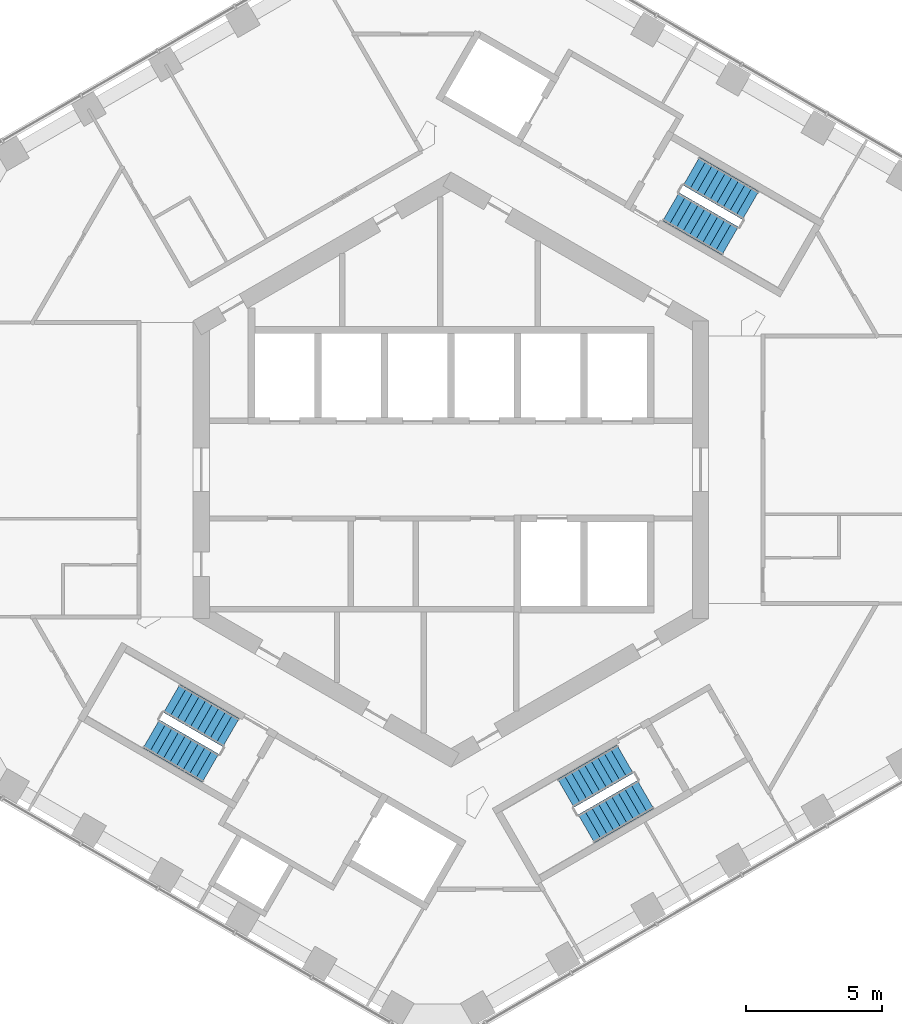
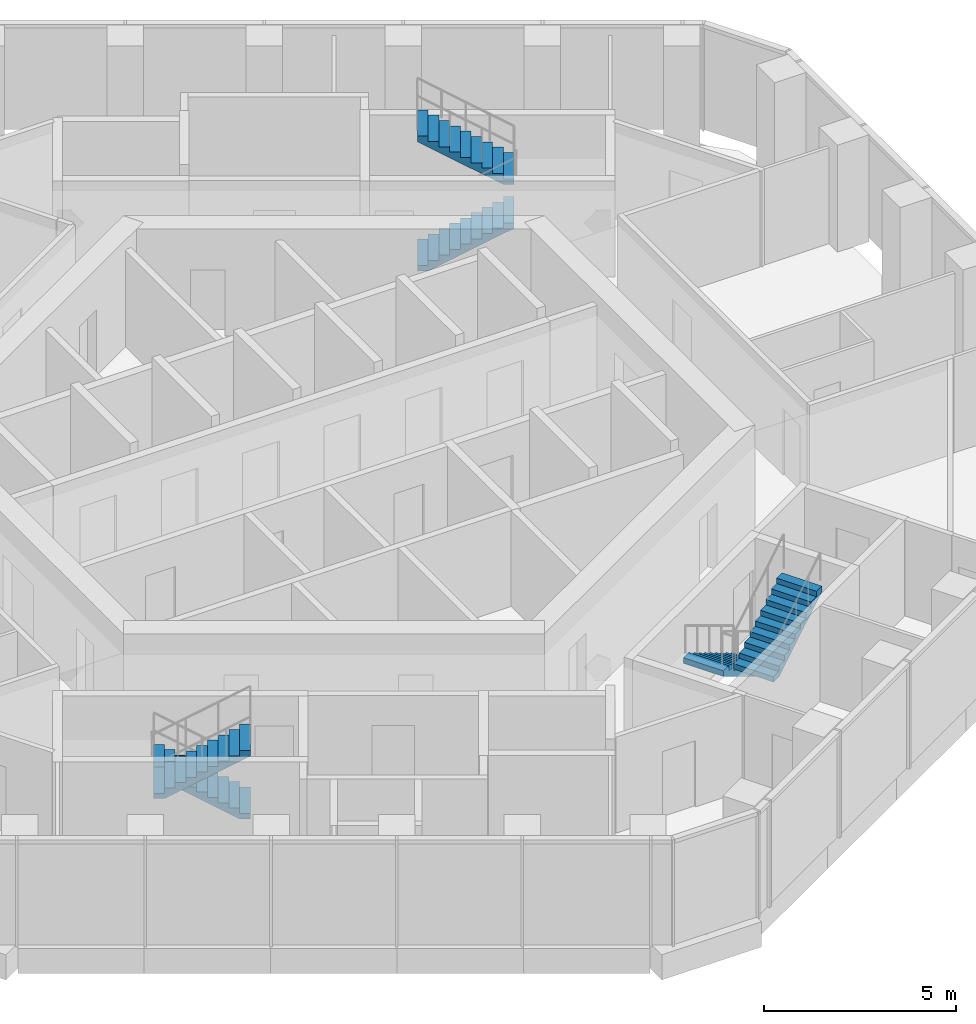
# One storey, part 17 of 18: 6 stair flights, 3 elements without a shape of their own.
"""IFC4 building model written with IfcOpenShell, lengths in metres."""

from ifc_helpers import new_model, si_unit, direction, frame, origin, place, context, subcontext, project, spatial, triangles, material, type_object, element, aggregate, save


model = new_model("IFC4")

# Units and contexts
model_context = context("Model", 3, precision=1e-05, world=origin(), true_north=direction((0.0, 1.0)))
body_context = subcontext(model_context, "Body", "Model", "MODEL_VIEW")
ifc_project = project(units=[si_unit("LENGTHUNIT", "METRE"), si_unit("AREAUNIT", "SQUARE_METRE"), si_unit("VOLUMEUNIT", "CUBIC_METRE"), si_unit("PLANEANGLEUNIT", "RADIAN"), si_unit("MASSUNIT", "GRAM", prefix="KILO")], contexts=[model_context])

# Site, building, storey
site_placement = place(None, origin())
site = spatial("IfcSite", under=ifc_project, at=site_placement, CompositionType="ELEMENT")
building_placement = place(site_placement, origin())
building = spatial("IfcBuilding", under=site, at=building_placement, Name="Ayvan Gate Tower", CompositionType="ELEMENT")
storey_placement = place(building_placement, frame((0.0, 0.0, 179.89990234375)))
storey = spatial("IfcBuildingStorey", under=building, at=storey_placement, Name="L48", CompositionType="ELEMENT", Elevation=179.89990234375)

# Stair, stair flights
ifc_material = material(Name="Concrete C40/50", Category="concrete")
stair_type = type_object("IfcStairType", Name="ST-EXIT", PredefinedType="HALF_TURN_STAIR", material=ifc_material)
stair_1_placement = place(storey_placement, origin())
stair_1 = element("IfcStair", 1, at=stair_1_placement, inside=storey, type_object=stair_type, Name="L48 Exit Stair S1", PredefinedType="HALF_TURN_STAIR")
stair_flight_type = type_object("IfcStairFlightType", Name="SFL-EXIT", PredefinedType="STRAIGHT", material=ifc_material)
stair_flight_1_placement = place(storey_placement, frame((8.106201171875, 9.690185546875, 0.0), z_axis=(0.0, 0.0, 1.0), x_axis=(0.866025403784, -0.5, 0.0)))
stair_flight_1 = element("IfcStairFlight", 2, at=stair_flight_1_placement, type_object=stair_flight_type, Name="STS1 flight 1", NumberOfRisers=10, NumberOfTreads=9, PredefinedType="STRAIGHT", RiserHeight=0.17, TreadLength=0.28, context=body_context, shape_type="Tessellation", body=[
    triangles([(0.288841, -0.599976, 0.0), (2.5205, -0.599976, 1.354936), (2.5205, -0.599976, 1.53), (2.24, -0.599976, 1.53), (2.24, -0.599976, 1.36), (1.96, -0.599976, 1.36), (1.96, -0.599976, 1.19), (1.68, -0.599976, 1.19), (1.68, -0.599976, 1.02), (1.4, -0.599976, 1.02), (1.4, -0.599976, 0.85), (1.12, -0.599976, 0.85), (1.12, -0.599976, 0.68), (0.84, -0.599976, 0.68), (0.84, -0.599976, 0.51), (0.56, -0.599976, 0.51), (0.56, -0.599976, 0.34), (0.28, -0.599976, 0.34), (0.28, -0.599976, 0.17), (-0.0005, -0.599976, 0.17), (-0.0005, -0.599976, 0.0), (0.288841, 0.0, 0.0), (2.5205, 0.0, 1.354936), (2.5205, 0.0, 1.53), (2.24, 0.0, 1.53), (2.24, 0.0, 1.36), (1.96, 0.0, 1.36), (1.96, 0.0, 1.19), (1.68, 0.0, 1.19), (1.68, 0.0, 1.02), (1.4, 0.0, 1.02), (1.4, 0.0, 0.85), (1.12, 0.0, 0.85), (1.12, 0.0, 0.68), (0.84, 0.0, 0.68), (0.84, 0.0, 0.51), (0.56, 0.0, 0.51), (0.56, 0.0, 0.34), (0.28, 0.0, 0.34), (0.28, 0.0, 0.17), (-0.0005, 0.0, 0.17), (-0.0005, 0.0, 0.0), (0.288841, 0.599976, 0.0), (2.5205, 0.599976, 1.354936), (2.5205, 0.599976, 1.53), (2.24, 0.599976, 1.53), (2.24, 0.599976, 1.36), (1.96, 0.599976, 1.36), (1.96, 0.599976, 1.19), (1.68, 0.599976, 1.19), (1.68, 0.599976, 1.02), (1.4, 0.599976, 1.02), (1.4, 0.599976, 0.85), (1.12, 0.599976, 0.85), (1.12, 0.599976, 0.68), (0.84, 0.599976, 0.68), (0.84, 0.599976, 0.51), (0.56, 0.599976, 0.51), (0.56, 0.599976, 0.34), (0.28, 0.599976, 0.34), (0.28, 0.599976, 0.17), (-0.0005, 0.599976, 0.17), (-0.0005, 0.599976, 0.0)], [[21, 1, 2], [63, 44, 43], [2, 3, 4], [44, 46, 45], [2, 4, 5], [44, 47, 46], [2, 5, 6], [44, 48, 47], [2, 6, 7], [44, 49, 48], [7, 8, 9], [49, 51, 50], [2, 7, 9], [44, 51, 49], [9, 10, 11], [51, 53, 52], [2, 9, 11], [44, 53, 51], [11, 12, 13], [53, 55, 54], [2, 11, 13], [44, 55, 53], [13, 14, 15], [55, 57, 56], [2, 13, 15], [44, 57, 55], [15, 16, 17], [57, 59, 58], [2, 15, 17], [44, 59, 57], [17, 18, 19], [59, 61, 60], [2, 17, 19], [44, 61, 59], [21, 2, 19], [63, 61, 44], [19, 20, 21], [61, 63, 62], [1, 22, 23], [1, 23, 2], [43, 23, 22], [43, 44, 23], [2, 23, 24], [2, 24, 3], [44, 24, 23], [44, 45, 24], [3, 24, 25], [3, 25, 4], [45, 25, 24], [45, 46, 25], [4, 25, 26], [4, 26, 5], [46, 26, 25], [46, 47, 26], [5, 26, 27], [5, 27, 6], [47, 27, 26], [47, 48, 27], [6, 27, 28], [6, 28, 7], [48, 28, 27], [48, 49, 28], [7, 28, 29], [7, 29, 8], [49, 29, 28], [49, 50, 29], [8, 29, 30], [8, 30, 9], [50, 30, 29], [50, 51, 30], [9, 30, 31], [9, 31, 10], [51, 31, 30], [51, 52, 31], [10, 31, 32], [10, 32, 11], [52, 32, 31], [52, 53, 32], [11, 32, 33], [11, 33, 12], [53, 33, 32], [53, 54, 33], [12, 33, 34], [12, 34, 13], [54, 34, 33], [54, 55, 34], [13, 34, 35], [13, 35, 14], [55, 35, 34], [55, 56, 35], [14, 35, 36], [14, 36, 15], [56, 36, 35], [56, 57, 36], [15, 36, 37], [15, 37, 16], [57, 37, 36], [57, 58, 37], [16, 37, 38], [16, 38, 17], [58, 38, 37], [58, 59, 38], [17, 38, 39], [17, 39, 18], [59, 39, 38], [59, 60, 39], [18, 39, 40], [18, 40, 19], [60, 40, 39], [60, 61, 40], [19, 40, 41], [19, 41, 20], [61, 41, 40], [61, 62, 41], [20, 41, 42], [20, 42, 21], [62, 42, 41], [62, 63, 42], [21, 42, 22], [21, 22, 1], [63, 22, 42], [63, 43, 22]], closed=True),
])
stair_flight_2_placement = place(storey_placement, frame((11.04345703125, 9.73779296875, 1.7001953125), z_axis=(0.0, 0.0, 1.0), x_axis=(-0.866025403784, 0.5, 0.0)))
stair_flight_2 = element("IfcStairFlight", 3, at=stair_flight_2_placement, type_object=stair_flight_type, Name="STS1 flight 2", NumberOfRisers=10, NumberOfTreads=9, PredefinedType="STRAIGHT", RiserHeight=0.17, TreadLength=0.28, context=body_context, shape_type="Tessellation", body=[
    triangles([(0.288841, -0.599976, 0.0), (2.5205, -0.599976, 1.354936), (2.5205, -0.599976, 1.53), (2.24, -0.599976, 1.53), (2.24, -0.599976, 1.36), (1.96, -0.599976, 1.36), (1.96, -0.599976, 1.19), (1.68, -0.599976, 1.19), (1.68, -0.599976, 1.02), (1.4, -0.599976, 1.02), (1.4, -0.599976, 0.85), (1.12, -0.599976, 0.85), (1.12, -0.599976, 0.68), (0.84, -0.599976, 0.68), (0.84, -0.599976, 0.51), (0.56, -0.599976, 0.51), (0.56, -0.599976, 0.34), (0.28, -0.599976, 0.34), (0.28, -0.599976, 0.17), (-0.0005, -0.599976, 0.17), (-0.0005, -0.599976, 0.0), (0.288841, 0.0, 0.0), (2.5205, 0.0, 1.354936), (2.5205, 0.0, 1.53), (2.24, 0.0, 1.53), (2.24, 0.0, 1.36), (1.96, 0.0, 1.36), (1.96, 0.0, 1.19), (1.68, 0.0, 1.19), (1.68, 0.0, 1.02), (1.4, 0.0, 1.02), (1.4, 0.0, 0.85), (1.12, 0.0, 0.85), (1.12, 0.0, 0.68), (0.84, 0.0, 0.68), (0.84, 0.0, 0.51), (0.56, 0.0, 0.51), (0.56, 0.0, 0.34), (0.28, 0.0, 0.34), (0.28, 0.0, 0.17), (-0.0005, 0.0, 0.17), (-0.0005, 0.0, 0.0), (0.288841, 0.599976, 0.0), (2.5205, 0.599976, 1.354936), (2.5205, 0.599976, 1.53), (2.24, 0.599976, 1.53), (2.24, 0.599976, 1.36), (1.96, 0.599976, 1.36), (1.96, 0.599976, 1.19), (1.68, 0.599976, 1.19), (1.68, 0.599976, 1.02), (1.4, 0.599976, 1.02), (1.4, 0.599976, 0.85), (1.12, 0.599976, 0.85), (1.12, 0.599976, 0.68), (0.84, 0.599976, 0.68), (0.84, 0.599976, 0.51), (0.56, 0.599976, 0.51), (0.56, 0.599976, 0.34), (0.28, 0.599976, 0.34), (0.28, 0.599976, 0.17), (-0.0005, 0.599976, 0.17), (-0.0005, 0.599976, 0.0)], [[21, 1, 2], [63, 44, 43], [2, 3, 4], [44, 46, 45], [2, 4, 5], [44, 47, 46], [2, 5, 6], [44, 48, 47], [2, 6, 7], [44, 49, 48], [7, 8, 9], [49, 51, 50], [2, 7, 9], [44, 51, 49], [9, 10, 11], [51, 53, 52], [2, 9, 11], [44, 53, 51], [11, 12, 13], [53, 55, 54], [2, 11, 13], [44, 55, 53], [13, 14, 15], [55, 57, 56], [2, 13, 15], [44, 57, 55], [15, 16, 17], [57, 59, 58], [2, 15, 17], [44, 59, 57], [17, 18, 19], [59, 61, 60], [2, 17, 19], [44, 61, 59], [21, 2, 19], [63, 61, 44], [19, 20, 21], [61, 63, 62], [1, 22, 23], [1, 23, 2], [43, 23, 22], [43, 44, 23], [2, 23, 24], [2, 24, 3], [44, 24, 23], [44, 45, 24], [3, 24, 25], [3, 25, 4], [45, 25, 24], [45, 46, 25], [4, 25, 26], [4, 26, 5], [46, 26, 25], [46, 47, 26], [5, 26, 27], [5, 27, 6], [47, 27, 26], [47, 48, 27], [6, 27, 28], [6, 28, 7], [48, 28, 27], [48, 49, 28], [7, 28, 29], [7, 29, 8], [49, 29, 28], [49, 50, 29], [8, 29, 30], [8, 30, 9], [50, 30, 29], [50, 51, 30], [9, 30, 31], [9, 31, 10], [51, 31, 30], [51, 52, 31], [10, 31, 32], [10, 32, 11], [52, 32, 31], [52, 53, 32], [11, 32, 33], [11, 33, 12], [53, 33, 32], [53, 54, 33], [12, 33, 34], [12, 34, 13], [54, 34, 33], [54, 55, 34], [13, 34, 35], [13, 35, 14], [55, 35, 34], [55, 56, 35], [14, 35, 36], [14, 36, 15], [56, 36, 35], [56, 57, 36], [15, 36, 37], [15, 37, 16], [57, 37, 36], [57, 58, 37], [16, 37, 38], [16, 38, 17], [58, 38, 37], [58, 59, 38], [17, 38, 39], [17, 39, 18], [59, 39, 38], [59, 60, 39], [18, 39, 40], [18, 40, 19], [60, 40, 39], [60, 61, 40], [19, 40, 41], [19, 41, 20], [61, 41, 40], [61, 62, 41], [20, 41, 42], [20, 42, 21], [62, 42, 41], [62, 63, 42], [21, 42, 22], [21, 22, 1], [63, 22, 42], [63, 43, 22]], closed=True),
])
aggregate(stair_1, [stair_flight_1, stair_flight_2])

stair_2_placement = place(storey_placement, origin())
stair_2 = element("IfcStair", 4, at=stair_2_placement, inside=storey, type_object=stair_type, Name="L48 Exit Stair S2", PredefinedType="HALF_TURN_STAIR")
stair_flight_3_placement = place(storey_placement, frame((-8.106201171875, -9.690185546875, 0.0), z_axis=(0.0, 0.0, 1.0), x_axis=(-0.866025403784, 0.5, 0.0)))
stair_flight_3 = element("IfcStairFlight", 5, at=stair_flight_3_placement, type_object=stair_flight_type, Name="STS2 flight 1", NumberOfRisers=10, NumberOfTreads=9, PredefinedType="STRAIGHT", RiserHeight=0.17, TreadLength=0.28, context=body_context, shape_type="Tessellation", body=[
    triangles([(0.288841, -0.599976, 0.0), (2.5205, -0.599976, 1.354936), (2.5205, -0.599976, 1.53), (2.24, -0.599976, 1.53), (2.24, -0.599976, 1.36), (1.96, -0.599976, 1.36), (1.96, -0.599976, 1.19), (1.68, -0.599976, 1.19), (1.68, -0.599976, 1.02), (1.4, -0.599976, 1.02), (1.4, -0.599976, 0.85), (1.12, -0.599976, 0.85), (1.12, -0.599976, 0.68), (0.84, -0.599976, 0.68), (0.84, -0.599976, 0.51), (0.56, -0.599976, 0.51), (0.56, -0.599976, 0.34), (0.28, -0.599976, 0.34), (0.28, -0.599976, 0.17), (-0.0005, -0.599976, 0.17), (-0.0005, -0.599976, 0.0), (0.288841, 0.0, 0.0), (2.5205, 0.0, 1.354936), (2.5205, 0.0, 1.53), (2.24, 0.0, 1.53), (2.24, 0.0, 1.36), (1.96, 0.0, 1.36), (1.96, 0.0, 1.19), (1.68, 0.0, 1.19), (1.68, 0.0, 1.02), (1.4, 0.0, 1.02), (1.4, 0.0, 0.85), (1.12, 0.0, 0.85), (1.12, 0.0, 0.68), (0.84, 0.0, 0.68), (0.84, 0.0, 0.51), (0.56, 0.0, 0.51), (0.56, 0.0, 0.34), (0.28, 0.0, 0.34), (0.28, 0.0, 0.17), (-0.0005, 0.0, 0.17), (-0.0005, 0.0, 0.0), (0.288841, 0.599976, 0.0), (2.5205, 0.599976, 1.354936), (2.5205, 0.599976, 1.53), (2.24, 0.599976, 1.53), (2.24, 0.599976, 1.36), (1.96, 0.599976, 1.36), (1.96, 0.599976, 1.19), (1.68, 0.599976, 1.19), (1.68, 0.599976, 1.02), (1.4, 0.599976, 1.02), (1.4, 0.599976, 0.85), (1.12, 0.599976, 0.85), (1.12, 0.599976, 0.68), (0.84, 0.599976, 0.68), (0.84, 0.599976, 0.51), (0.56, 0.599976, 0.51), (0.56, 0.599976, 0.34), (0.28, 0.599976, 0.34), (0.28, 0.599976, 0.17), (-0.0005, 0.599976, 0.17), (-0.0005, 0.599976, 0.0)], [[21, 1, 2], [63, 44, 43], [2, 3, 4], [44, 46, 45], [2, 4, 5], [44, 47, 46], [2, 5, 6], [44, 48, 47], [2, 6, 7], [44, 49, 48], [7, 8, 9], [49, 51, 50], [2, 7, 9], [44, 51, 49], [9, 10, 11], [51, 53, 52], [2, 9, 11], [44, 53, 51], [11, 12, 13], [53, 55, 54], [2, 11, 13], [44, 55, 53], [13, 14, 15], [55, 57, 56], [2, 13, 15], [44, 57, 55], [15, 16, 17], [57, 59, 58], [2, 15, 17], [44, 59, 57], [17, 18, 19], [59, 61, 60], [2, 17, 19], [44, 61, 59], [21, 2, 19], [63, 61, 44], [19, 20, 21], [61, 63, 62], [1, 22, 23], [1, 23, 2], [43, 23, 22], [43, 44, 23], [2, 23, 24], [2, 24, 3], [44, 24, 23], [44, 45, 24], [3, 24, 25], [3, 25, 4], [45, 25, 24], [45, 46, 25], [4, 25, 26], [4, 26, 5], [46, 26, 25], [46, 47, 26], [5, 26, 27], [5, 27, 6], [47, 27, 26], [47, 48, 27], [6, 27, 28], [6, 28, 7], [48, 28, 27], [48, 49, 28], [7, 28, 29], [7, 29, 8], [49, 29, 28], [49, 50, 29], [8, 29, 30], [8, 30, 9], [50, 30, 29], [50, 51, 30], [9, 30, 31], [9, 31, 10], [51, 31, 30], [51, 52, 31], [10, 31, 32], [10, 32, 11], [52, 32, 31], [52, 53, 32], [11, 32, 33], [11, 33, 12], [53, 33, 32], [53, 54, 33], [12, 33, 34], [12, 34, 13], [54, 34, 33], [54, 55, 34], [13, 34, 35], [13, 35, 14], [55, 35, 34], [55, 56, 35], [14, 35, 36], [14, 36, 15], [56, 36, 35], [56, 57, 36], [15, 36, 37], [15, 37, 16], [57, 37, 36], [57, 58, 37], [16, 37, 38], [16, 38, 17], [58, 38, 37], [58, 59, 38], [17, 38, 39], [17, 39, 18], [59, 39, 38], [59, 60, 39], [18, 39, 40], [18, 40, 19], [60, 40, 39], [60, 61, 40], [19, 40, 41], [19, 41, 20], [61, 41, 40], [61, 62, 41], [20, 41, 42], [20, 42, 21], [62, 42, 41], [62, 63, 42], [21, 42, 22], [21, 22, 1], [63, 22, 42], [63, 43, 22]], closed=True),
])
stair_flight_4_placement = place(storey_placement, frame((-11.04345703125, -9.73779296875, 1.7001953125), z_axis=(0.0, 0.0, 1.0), x_axis=(0.866025403784, -0.5, 0.0)))
stair_flight_4 = element("IfcStairFlight", 6, at=stair_flight_4_placement, type_object=stair_flight_type, Name="STS2 flight 2", NumberOfRisers=10, NumberOfTreads=9, PredefinedType="STRAIGHT", RiserHeight=0.17, TreadLength=0.28, context=body_context, shape_type="Tessellation", body=[
    triangles([(0.288841, -0.599976, 0.0), (2.5205, -0.599976, 1.354936), (2.5205, -0.599976, 1.53), (2.24, -0.599976, 1.53), (2.24, -0.599976, 1.36), (1.96, -0.599976, 1.36), (1.96, -0.599976, 1.19), (1.68, -0.599976, 1.19), (1.68, -0.599976, 1.02), (1.4, -0.599976, 1.02), (1.4, -0.599976, 0.85), (1.12, -0.599976, 0.85), (1.12, -0.599976, 0.68), (0.84, -0.599976, 0.68), (0.84, -0.599976, 0.51), (0.56, -0.599976, 0.51), (0.56, -0.599976, 0.34), (0.28, -0.599976, 0.34), (0.28, -0.599976, 0.17), (-0.0005, -0.599976, 0.17), (-0.0005, -0.599976, 0.0), (0.288841, 0.0, 0.0), (2.5205, 0.0, 1.354936), (2.5205, 0.0, 1.53), (2.24, 0.0, 1.53), (2.24, 0.0, 1.36), (1.96, 0.0, 1.36), (1.96, 0.0, 1.19), (1.68, 0.0, 1.19), (1.68, 0.0, 1.02), (1.4, 0.0, 1.02), (1.4, 0.0, 0.85), (1.12, 0.0, 0.85), (1.12, 0.0, 0.68), (0.84, 0.0, 0.68), (0.84, 0.0, 0.51), (0.56, 0.0, 0.51), (0.56, 0.0, 0.34), (0.28, 0.0, 0.34), (0.28, 0.0, 0.17), (-0.0005, 0.0, 0.17), (-0.0005, 0.0, 0.0), (0.288841, 0.599976, 0.0), (2.5205, 0.599976, 1.354936), (2.5205, 0.599976, 1.53), (2.24, 0.599976, 1.53), (2.24, 0.599976, 1.36), (1.96, 0.599976, 1.36), (1.96, 0.599976, 1.19), (1.68, 0.599976, 1.19), (1.68, 0.599976, 1.02), (1.4, 0.599976, 1.02), (1.4, 0.599976, 0.85), (1.12, 0.599976, 0.85), (1.12, 0.599976, 0.68), (0.84, 0.599976, 0.68), (0.84, 0.599976, 0.51), (0.56, 0.599976, 0.51), (0.56, 0.599976, 0.34), (0.28, 0.599976, 0.34), (0.28, 0.599976, 0.17), (-0.0005, 0.599976, 0.17), (-0.0005, 0.599976, 0.0)], [[21, 1, 2], [63, 44, 43], [2, 3, 4], [44, 46, 45], [2, 4, 5], [44, 47, 46], [2, 5, 6], [44, 48, 47], [2, 6, 7], [44, 49, 48], [7, 8, 9], [49, 51, 50], [2, 7, 9], [44, 51, 49], [9, 10, 11], [51, 53, 52], [2, 9, 11], [44, 53, 51], [11, 12, 13], [53, 55, 54], [2, 11, 13], [44, 55, 53], [13, 14, 15], [55, 57, 56], [2, 13, 15], [44, 57, 55], [15, 16, 17], [57, 59, 58], [2, 15, 17], [44, 59, 57], [17, 18, 19], [59, 61, 60], [2, 17, 19], [44, 61, 59], [21, 2, 19], [63, 61, 44], [19, 20, 21], [61, 63, 62], [1, 22, 23], [1, 23, 2], [43, 23, 22], [43, 44, 23], [2, 23, 24], [2, 24, 3], [44, 24, 23], [44, 45, 24], [3, 24, 25], [3, 25, 4], [45, 25, 24], [45, 46, 25], [4, 25, 26], [4, 26, 5], [46, 26, 25], [46, 47, 26], [5, 26, 27], [5, 27, 6], [47, 27, 26], [47, 48, 27], [6, 27, 28], [6, 28, 7], [48, 28, 27], [48, 49, 28], [7, 28, 29], [7, 29, 8], [49, 29, 28], [49, 50, 29], [8, 29, 30], [8, 30, 9], [50, 30, 29], [50, 51, 30], [9, 30, 31], [9, 31, 10], [51, 31, 30], [51, 52, 31], [10, 31, 32], [10, 32, 11], [52, 32, 31], [52, 53, 32], [11, 32, 33], [11, 33, 12], [53, 33, 32], [53, 54, 33], [12, 33, 34], [12, 34, 13], [54, 34, 33], [54, 55, 34], [13, 34, 35], [13, 35, 14], [55, 35, 34], [55, 56, 35], [14, 35, 36], [14, 36, 15], [56, 36, 35], [56, 57, 36], [15, 36, 37], [15, 37, 16], [57, 37, 36], [57, 58, 37], [16, 37, 38], [16, 38, 17], [58, 38, 37], [58, 59, 38], [17, 38, 39], [17, 39, 18], [59, 39, 38], [59, 60, 39], [18, 39, 40], [18, 40, 19], [60, 40, 39], [60, 61, 40], [19, 40, 41], [19, 41, 20], [61, 41, 40], [61, 62, 41], [20, 41, 42], [20, 42, 21], [62, 42, 41], [62, 63, 42], [21, 42, 22], [21, 22, 1], [63, 22, 42], [63, 43, 22]], closed=True),
])
aggregate(stair_2, [stair_flight_3, stair_flight_4])

stair_3_placement = place(storey_placement, origin())
stair_3 = element("IfcStair", 7, at=stair_3_placement, inside=storey, type_object=stair_type, Name="L48 Exit Stair S3", PredefinedType="HALF_TURN_STAIR")
stair_flight_5_placement = place(storey_placement, frame((6.417236328125, -10.665283203125, 0.0), z_axis=(0.0, 0.0, 1.0), x_axis=(-0.866025403784, -0.5, 0.0)))
stair_flight_5 = element("IfcStairFlight", 8, at=stair_flight_5_placement, type_object=stair_flight_type, Name="STS3 flight 1", NumberOfRisers=10, NumberOfTreads=9, PredefinedType="STRAIGHT", RiserHeight=0.17, TreadLength=0.28, context=body_context, shape_type="Tessellation", body=[
    triangles([(0.288841, -0.599976, 0.0), (2.5205, -0.599976, 1.354936), (2.5205, -0.599976, 1.53), (2.24, -0.599976, 1.53), (2.24, -0.599976, 1.36), (1.96, -0.599976, 1.36), (1.96, -0.599976, 1.19), (1.68, -0.599976, 1.19), (1.68, -0.599976, 1.02), (1.4, -0.599976, 1.02), (1.4, -0.599976, 0.85), (1.12, -0.599976, 0.85), (1.12, -0.599976, 0.68), (0.84, -0.599976, 0.68), (0.84, -0.599976, 0.51), (0.56, -0.599976, 0.51), (0.56, -0.599976, 0.34), (0.28, -0.599976, 0.34), (0.28, -0.599976, 0.17), (-0.0005, -0.599976, 0.17), (-0.0005, -0.599976, 0.0), (0.288841, 0.0, 0.0), (2.5205, 0.0, 1.354936), (2.5205, 0.0, 1.53), (2.24, 0.0, 1.53), (2.24, 0.0, 1.36), (1.96, 0.0, 1.36), (1.96, 0.0, 1.19), (1.68, 0.0, 1.19), (1.68, 0.0, 1.02), (1.4, 0.0, 1.02), (1.4, 0.0, 0.85), (1.12, 0.0, 0.85), (1.12, 0.0, 0.68), (0.84, 0.0, 0.68), (0.84, 0.0, 0.51), (0.56, 0.0, 0.51), (0.56, 0.0, 0.34), (0.28, 0.0, 0.34), (0.28, 0.0, 0.17), (-0.0005, 0.0, 0.17), (-0.0005, 0.0, 0.0), (0.288841, 0.599976, 0.0), (2.5205, 0.599976, 1.354936), (2.5205, 0.599976, 1.53), (2.24, 0.599976, 1.53), (2.24, 0.599976, 1.36), (1.96, 0.599976, 1.36), (1.96, 0.599976, 1.19), (1.68, 0.599976, 1.19), (1.68, 0.599976, 1.02), (1.4, 0.599976, 1.02), (1.4, 0.599976, 0.85), (1.12, 0.599976, 0.85), (1.12, 0.599976, 0.68), (0.84, 0.599976, 0.68), (0.84, 0.599976, 0.51), (0.56, 0.599976, 0.51), (0.56, 0.599976, 0.34), (0.28, 0.599976, 0.34), (0.28, 0.599976, 0.17), (-0.0005, 0.599976, 0.17), (-0.0005, 0.599976, 0.0)], [[21, 1, 2], [63, 44, 43], [2, 3, 4], [44, 46, 45], [2, 4, 5], [44, 47, 46], [2, 5, 6], [44, 48, 47], [2, 6, 7], [44, 49, 48], [7, 8, 9], [49, 51, 50], [2, 7, 9], [44, 51, 49], [9, 10, 11], [51, 53, 52], [2, 9, 11], [44, 53, 51], [11, 12, 13], [53, 55, 54], [2, 11, 13], [44, 55, 53], [13, 14, 15], [55, 57, 56], [2, 13, 15], [44, 57, 55], [15, 16, 17], [57, 59, 58], [2, 15, 17], [44, 59, 57], [17, 18, 19], [59, 61, 60], [2, 17, 19], [44, 61, 59], [21, 2, 19], [63, 61, 44], [19, 20, 21], [61, 63, 62], [1, 22, 23], [1, 23, 2], [43, 23, 22], [43, 44, 23], [2, 23, 24], [2, 24, 3], [44, 24, 23], [44, 45, 24], [3, 24, 25], [3, 25, 4], [45, 25, 24], [45, 46, 25], [4, 25, 26], [4, 26, 5], [46, 26, 25], [46, 47, 26], [5, 26, 27], [5, 27, 6], [47, 27, 26], [47, 48, 27], [6, 27, 28], [6, 28, 7], [48, 28, 27], [48, 49, 28], [7, 28, 29], [7, 29, 8], [49, 29, 28], [49, 50, 29], [8, 29, 30], [8, 30, 9], [50, 30, 29], [50, 51, 30], [9, 30, 31], [9, 31, 10], [51, 31, 30], [51, 52, 31], [10, 31, 32], [10, 32, 11], [52, 32, 31], [52, 53, 32], [11, 32, 33], [11, 33, 12], [53, 33, 32], [53, 54, 33], [12, 33, 34], [12, 34, 13], [54, 34, 33], [54, 55, 34], [13, 34, 35], [13, 35, 14], [55, 35, 34], [55, 56, 35], [14, 35, 36], [14, 36, 15], [56, 36, 35], [56, 57, 36], [15, 36, 37], [15, 37, 16], [57, 37, 36], [57, 58, 37], [16, 37, 38], [16, 38, 17], [58, 38, 37], [58, 59, 38], [17, 38, 39], [17, 39, 18], [59, 39, 38], [59, 60, 39], [18, 39, 40], [18, 40, 19], [60, 40, 39], [60, 61, 40], [19, 40, 41], [19, 41, 20], [61, 41, 40], [61, 62, 41], [20, 41, 42], [20, 42, 21], [62, 42, 41], [62, 63, 42], [21, 42, 22], [21, 22, 1], [63, 22, 42], [63, 43, 22]], closed=True),
])
stair_flight_6_placement = place(storey_placement, frame((4.989990234375, -13.23291015625, 1.7001953125), z_axis=(0.0, 0.0, 1.0), x_axis=(0.866025403784, 0.5, 0.0)))
stair_flight_6 = element("IfcStairFlight", 9, at=stair_flight_6_placement, type_object=stair_flight_type, Name="STS3 flight 2", NumberOfRisers=10, NumberOfTreads=9, PredefinedType="STRAIGHT", RiserHeight=0.17, TreadLength=0.28, context=body_context, shape_type="Tessellation", body=[
    triangles([(0.288841, -0.599976, 0.0), (2.5205, -0.599976, 1.354936), (2.5205, -0.599976, 1.53), (2.24, -0.599976, 1.53), (2.24, -0.599976, 1.36), (1.96, -0.599976, 1.36), (1.96, -0.599976, 1.19), (1.68, -0.599976, 1.19), (1.68, -0.599976, 1.02), (1.4, -0.599976, 1.02), (1.4, -0.599976, 0.85), (1.12, -0.599976, 0.85), (1.12, -0.599976, 0.68), (0.84, -0.599976, 0.68), (0.84, -0.599976, 0.51), (0.56, -0.599976, 0.51), (0.56, -0.599976, 0.34), (0.28, -0.599976, 0.34), (0.28, -0.599976, 0.17), (-0.0005, -0.599976, 0.17), (-0.0005, -0.599976, 0.0), (0.288841, 0.0, 0.0), (2.5205, 0.0, 1.354936), (2.5205, 0.0, 1.53), (2.24, 0.0, 1.53), (2.24, 0.0, 1.36), (1.96, 0.0, 1.36), (1.96, 0.0, 1.19), (1.68, 0.0, 1.19), (1.68, 0.0, 1.02), (1.4, 0.0, 1.02), (1.4, 0.0, 0.85), (1.12, 0.0, 0.85), (1.12, 0.0, 0.68), (0.84, 0.0, 0.68), (0.84, 0.0, 0.51), (0.56, 0.0, 0.51), (0.56, 0.0, 0.34), (0.28, 0.0, 0.34), (0.28, 0.0, 0.17), (-0.0005, 0.0, 0.17), (-0.0005, 0.0, 0.0), (0.288841, 0.599976, 0.0), (2.5205, 0.599976, 1.354936), (2.5205, 0.599976, 1.53), (2.24, 0.599976, 1.53), (2.24, 0.599976, 1.36), (1.96, 0.599976, 1.36), (1.96, 0.599976, 1.19), (1.68, 0.599976, 1.19), (1.68, 0.599976, 1.02), (1.4, 0.599976, 1.02), (1.4, 0.599976, 0.85), (1.12, 0.599976, 0.85), (1.12, 0.599976, 0.68), (0.84, 0.599976, 0.68), (0.84, 0.599976, 0.51), (0.56, 0.599976, 0.51), (0.56, 0.599976, 0.34), (0.28, 0.599976, 0.34), (0.28, 0.599976, 0.17), (-0.0005, 0.599976, 0.17), (-0.0005, 0.599976, 0.0)], [[21, 1, 2], [63, 44, 43], [2, 3, 4], [44, 46, 45], [2, 4, 5], [44, 47, 46], [2, 5, 6], [44, 48, 47], [2, 6, 7], [44, 49, 48], [7, 8, 9], [49, 51, 50], [2, 7, 9], [44, 51, 49], [9, 10, 11], [51, 53, 52], [2, 9, 11], [44, 53, 51], [11, 12, 13], [53, 55, 54], [2, 11, 13], [44, 55, 53], [13, 14, 15], [55, 57, 56], [2, 13, 15], [44, 57, 55], [15, 16, 17], [57, 59, 58], [2, 15, 17], [44, 59, 57], [17, 18, 19], [59, 61, 60], [2, 17, 19], [44, 61, 59], [21, 2, 19], [63, 61, 44], [19, 20, 21], [61, 63, 62], [1, 22, 23], [1, 23, 2], [43, 23, 22], [43, 44, 23], [2, 23, 24], [2, 24, 3], [44, 24, 23], [44, 45, 24], [3, 24, 25], [3, 25, 4], [45, 25, 24], [45, 46, 25], [4, 25, 26], [4, 26, 5], [46, 26, 25], [46, 47, 26], [5, 26, 27], [5, 27, 6], [47, 27, 26], [47, 48, 27], [6, 27, 28], [6, 28, 7], [48, 28, 27], [48, 49, 28], [7, 28, 29], [7, 29, 8], [49, 29, 28], [49, 50, 29], [8, 29, 30], [8, 30, 9], [50, 30, 29], [50, 51, 30], [9, 30, 31], [9, 31, 10], [51, 31, 30], [51, 52, 31], [10, 31, 32], [10, 32, 11], [52, 32, 31], [52, 53, 32], [11, 32, 33], [11, 33, 12], [53, 33, 32], [53, 54, 33], [12, 33, 34], [12, 34, 13], [54, 34, 33], [54, 55, 34], [13, 34, 35], [13, 35, 14], [55, 35, 34], [55, 56, 35], [14, 35, 36], [14, 36, 15], [56, 36, 35], [56, 57, 36], [15, 36, 37], [15, 37, 16], [57, 37, 36], [57, 58, 37], [16, 37, 38], [16, 38, 17], [58, 38, 37], [58, 59, 38], [17, 38, 39], [17, 39, 18], [59, 39, 38], [59, 60, 39], [18, 39, 40], [18, 40, 19], [60, 40, 39], [60, 61, 40], [19, 40, 41], [19, 41, 20], [61, 41, 40], [61, 62, 41], [20, 41, 42], [20, 42, 21], [62, 42, 41], [62, 63, 42], [21, 42, 22], [21, 22, 1], [63, 22, 42], [63, 43, 22]], closed=True),
])
aggregate(stair_3, [stair_flight_5, stair_flight_6])

save(model, "model.ifc")
